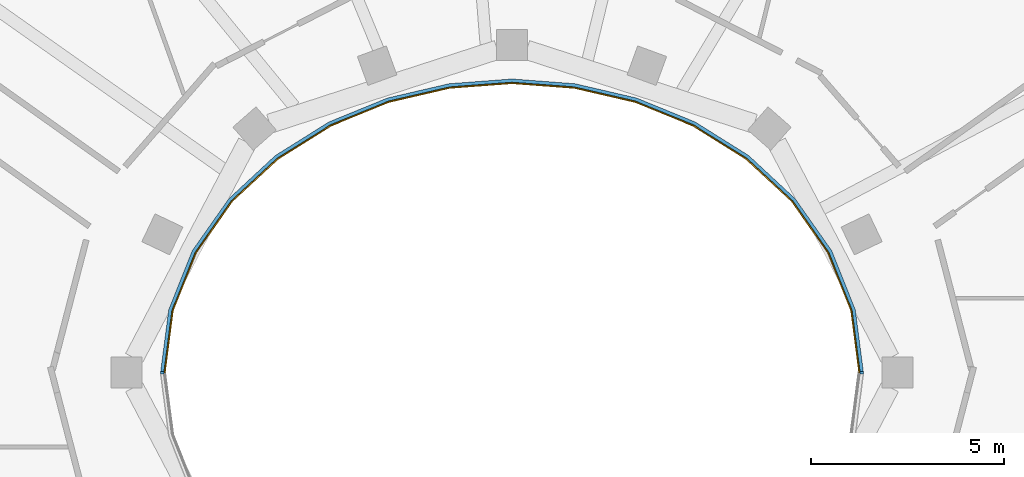
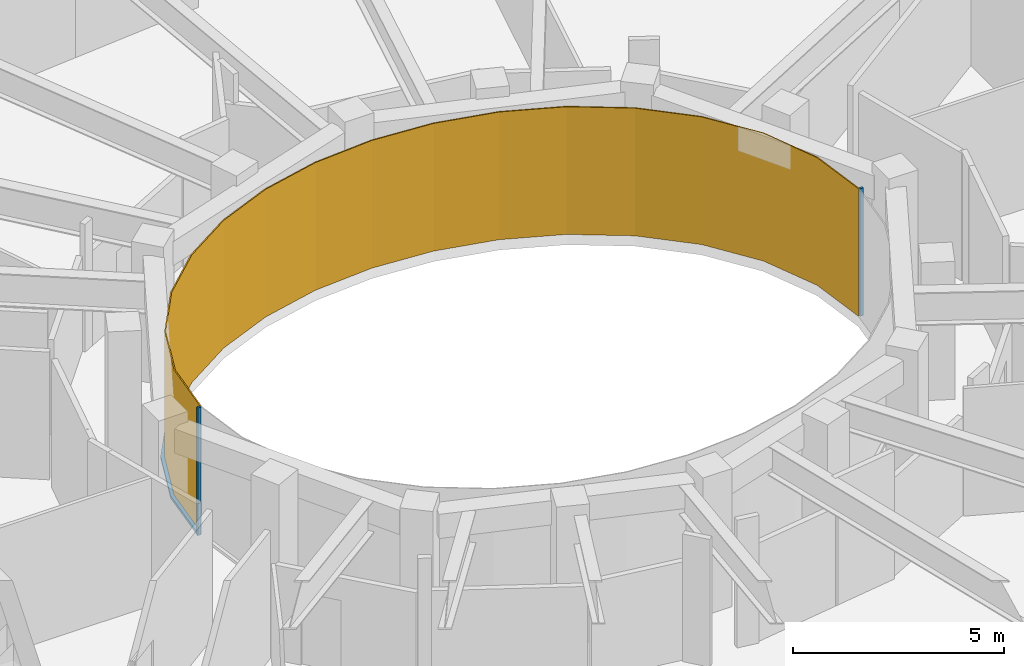
# One storey, part 16 of 20: 3 members, 1 curtain wall.
"""IFC4 building model written with IfcOpenShell, lengths in metres."""

from ifc_helpers import new_model, si_unit, direction, frame, origin, origin_2d, place, context, subcontext, project, spatial, polyline, rectangle, outline, extrude, material, layer, layer_set, material_profile, profile_set, type_object, element, aggregate, save


model = new_model("IFC4")

# Units and contexts
model_context = context("Model", 3, precision=1e-05, world=origin(), true_north=direction((0.0, 1.0)))
body_context = subcontext(model_context, "Body", "Model", "MODEL_VIEW")
ifc_project = project(units=[si_unit("LENGTHUNIT", "METRE"), si_unit("AREAUNIT", "SQUARE_METRE"), si_unit("VOLUMEUNIT", "CUBIC_METRE"), si_unit("PLANEANGLEUNIT", "RADIAN"), si_unit("MASSUNIT", "GRAM", prefix="KILO")], contexts=[model_context])

# Member
ifc_material_1 = material(Name="Steel S355 fire-resisting frame", Category="steel")
ifc_material_profile = material_profile(ifc_material_1, rectangle(XDim=0.090087890625, YDim=0.06005859375, at=origin_2d()), Name="90x60")
ifc_profile_set = profile_set([ifc_material_profile], Name="Steel S355 fire-resisting frame")
member_type_1 = type_object("IfcMemberType", Name="ENV-MULLION-W-90", PredefinedType="MULLION", material=ifc_profile_set)
site_placement = place(None, origin())
building_placement = place(site_placement, origin())
storey_placement = place(building_placement, frame((0.0, 0.0, 323.0)))
member_1_placement = place(storey_placement, frame((9.076904296875, 0.0, 0.0), z_axis=(0.0, 0.0, 1.0), x_axis=(1.0, 0.0, 0.0)))
member_1 = element("IfcMember", 1, at=member_1_placement, type_object=member_type_1, Name="Mullion W well vertex 01", PredefinedType="MULLION", context=body_context, shape_type="SweptSolid", body=[
    extrude(rectangle(XDim=0.090087890625, YDim=0.06005859375, at=origin_2d()), origin(), (0.0, 0.0, 1.0), 3.699951171875),
])

member_2_placement = place(storey_placement, frame((-9.076904296875, 0.0, 0.0), z_axis=(0.0, 0.0, 1.0), x_axis=(-1.0, 0.0, 0.0)))
member_2 = element("IfcMember", 2, at=member_2_placement, type_object=member_type_1, Name="Mullion W well vertex 17", PredefinedType="MULLION", context=body_context, shape_type="SweptSolid", body=[
    extrude(rectangle(XDim=0.090087890625, YDim=0.06005859375, at=origin_2d()), origin(), (0.0, 0.0, 1.0), 3.699951171875),
])

ifc_material_2 = material(Name="Steel S355 fire-resisting frame", Category="steel")
member_type_2 = type_object("IfcMemberType", Name="ENV-TRANSOM-W", PredefinedType="USERDEFINED", material=ifc_material_2)
member_3_placement = place(storey_placement, origin())
member_3 = element("IfcMember", 3, at=member_3_placement, type_object=member_type_2, Name="Transom W well 01-17", ObjectType="TRANSOM", PredefinedType="USERDEFINED", context=body_context, shape_type="SweptSolid", body=[
    extrude(outline(polyline([(9.119384765625, 0.02783203125), (8.910400390625, 1.63623046875), (8.29833984375, 3.167236328125), (7.35107421875, 4.5146484375), (6.1455078125, 5.6337890625), (4.75341796875, 6.50634765625), (3.233642578125, 7.127685546875), (1.635498046875, 7.498779296875), (0.0, 7.622314453125), (-1.635498046875, 7.498779296875), (-3.233642578125, 7.127685546875), (-4.75341796875, 6.50634765625), (-6.1455078125, 5.6337890625), (-7.35107421875, 4.5146484375), (-8.29833984375, 3.167236328125), (-8.910400390625, 1.63623046875), (-9.119384765625, 0.02783203125), (-9.02880859375, 0.02783203125), (-8.822509765625, 1.61328125), (-8.21875, 3.124267578125), (-7.282958984375, 4.455078125), (-6.090576171875, 5.56201171875), (-4.712158203125, 6.426025390625), (-3.206298828125, 7.04150390625), (-1.621826171875, 7.40966796875), (0.0, 7.531982421875), (1.621826171875, 7.40966796875), (3.206298828125, 7.04150390625), (4.712158203125, 6.426025390625), (6.090576171875, 5.56201171875), (7.282958984375, 4.455078125), (8.21875, 3.124267578125), (8.822509765625, 1.61328125), (9.02880859375, 0.02783203125), (9.119384765625, 0.02783203125)])), origin(), (0.0, 0.0, 1.0), 0.080078125),
])

# Site, building, storey
site = spatial("IfcSite", under=ifc_project, at=site_placement, CompositionType="ELEMENT")
building = spatial("IfcBuilding", under=site, at=building_placement, Name="Noorbagh Ring Tower", CompositionType="ELEMENT")
storey = spatial("IfcBuildingStorey", under=building, at=storey_placement, Name="L70", CompositionType="ELEMENT", Elevation=323.0)

# Curtain wall
ifc_material_3 = material(Name="Glass fire-resisting E60 laminated", Category="glass")
ifc_layer = layer(ifc_material_3, 0.031982421875)
ifc_layer_set = layer_set([ifc_layer], Name="Glass fire-resisting E60 laminated")
curtain_wall_type = type_object("IfcCurtainWallType", Name="ENV-CW-W", PredefinedType="NOTDEFINED", material=ifc_layer_set)
curtain_wall_placement = place(storey_placement, origin())
curtain_wall = element("IfcCurtainWall", 4, at=curtain_wall_placement, inside=storey, type_object=curtain_wall_type, Name="Curtain wall W W01", PredefinedType="NOTDEFINED", context=body_context, shape_type="SweptSolid", body=[
    extrude(outline(polyline([(9.0322265625, 0.0), (8.822509765625, 1.61328125), (8.21875, 3.124267578125), (7.282958984375, 4.455078125), (6.090576171875, 5.56201171875), (4.712158203125, 6.426025390625), (3.206298828125, 7.04150390625), (1.621826171875, 7.40966796875), (0.0, 7.531982421875), (-1.621826171875, 7.40966796875), (-3.206298828125, 7.04150390625), (-4.712158203125, 6.426025390625), (-6.090576171875, 5.56201171875), (-7.282958984375, 4.455078125), (-8.21875, 3.124267578125), (-8.822509765625, 1.61328125), (-9.0322265625, 0.0), (-9.0, 0.0), (-8.79150390625, 1.605224609375), (-8.1904296875, 3.10888671875), (-7.2587890625, 4.43408203125), (-6.071044921875, 5.53662109375), (-4.697509765625, 6.3974609375), (-3.196533203125, 7.010986328125), (-1.6171875, 7.3779296875), (0.0, 7.5), (1.6171875, 7.3779296875), (3.196533203125, 7.010986328125), (4.697509765625, 6.3974609375), (6.071044921875, 5.53662109375), (7.2587890625, 4.43408203125), (8.1904296875, 3.10888671875), (8.79150390625, 1.605224609375), (9.0, 0.0), (9.0322265625, 0.0)])), origin(), (0.0, 0.0, 1.0), 3.699951171875),
])

aggregate(curtain_wall, [member_1, member_2, member_3])

save(model, "model.ifc")
